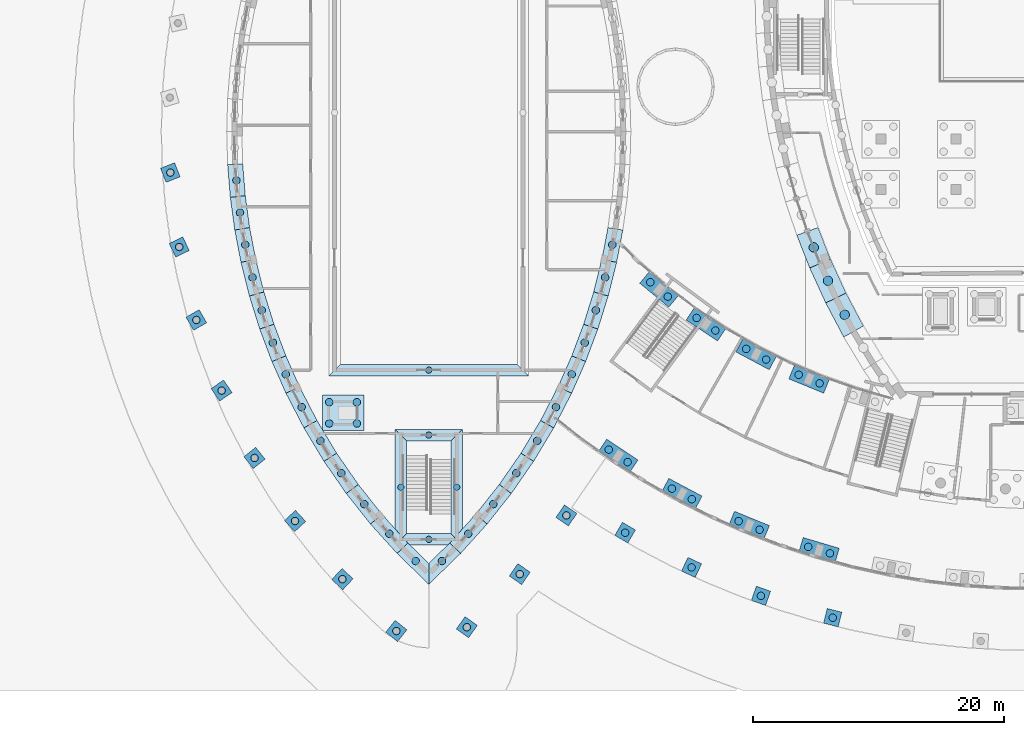
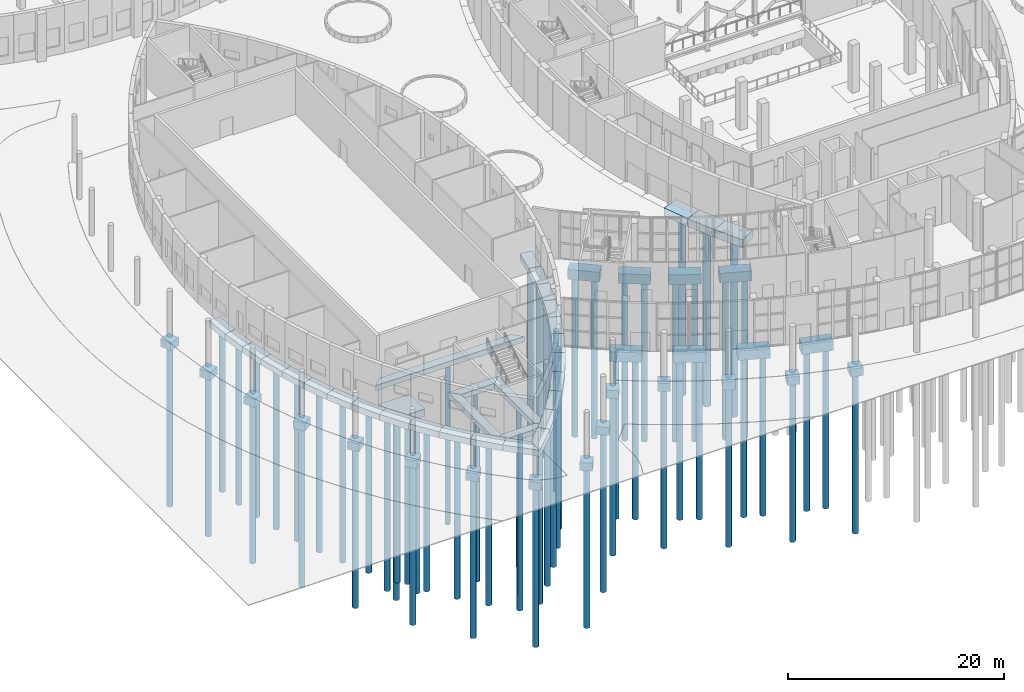
# One storey, part 1 of 82: 67 piles, 56 footings.
"""IFC4 building model written with IfcOpenShell, lengths in metres."""

from ifc_helpers import new_model, si_unit, direction, frame, origin, origin_2d, place, context, subcontext, project, spatial, polyline, rectangle, circle, outline, extrude, material, material_profile, profile_set, type_object, element, save


model = new_model("IFC4")

# Units and contexts
model_context = context("Model", 3, precision=1e-05, world=origin(), true_north=direction((0.0, 1.0)))
body_context = subcontext(model_context, "Body", "Model", "MODEL_VIEW")
ifc_project = project(units=[si_unit("LENGTHUNIT", "METRE"), si_unit("AREAUNIT", "SQUARE_METRE"), si_unit("VOLUMEUNIT", "CUBIC_METRE"), si_unit("PLANEANGLEUNIT", "RADIAN"), si_unit("MASSUNIT", "GRAM", prefix="KILO")], contexts=[model_context])

# Site, building, storey
site_placement = place(None, origin())
site = spatial("IfcSite", under=ifc_project, at=site_placement, CompositionType="ELEMENT")
building_placement = place(site_placement, origin())
building = spatial("IfcBuilding", under=site, at=building_placement, Name="Tide Square Theatres", CompositionType="ELEMENT")
storey_placement = place(building_placement, origin())
storey = spatial("IfcBuildingStorey", under=building, at=storey_placement, Name="L00", CompositionType="ELEMENT", Elevation=0.0)

# Piles
ifc_material_1 = material(Name="Concrete C30", Category="concrete")
ifc_material_profile_1 = material_profile(ifc_material_1, circle(Radius=0.25, at=origin_2d()))
ifc_profile_set_1 = profile_set([ifc_material_profile_1], Name="Concrete C30")
pile_type_1 = type_object("IfcPileType", Name="Bored pile D500", PredefinedType="BORED", material=ifc_profile_set_1)
for number, where, z_axis, x_axis, name in (
    (1, (36.0, 25.5, -0.699951171875), (0.0, 0.0, -1.0), (1.0, 0.0, 0.0), "Bored pile 059"),
    (2, (33.77490234375, 16.175048828125, -0.699951171875), (0.0, 0.0, -1.0), (1.0, 0.0, 0.0), "Bored pile 065"),
    (3, (36.0, 12.02490234375, -0.699951171875), (0.0, 0.0, -1.0), (1.0, 0.0, 0.0), "Bored pile 066"),
    (4, (38.22509765625, 16.175048828125, -0.699951171875), (0.0, 0.0, -1.0), (1.0, 0.0, 0.0), "Bored pile 067"),
    (5, (36.0, 20.324951171875, -0.699951171875), (0.0, 0.0, -1.0), (1.0, 0.0, 0.0), "Bored pile 068"),
):
    element("IfcPile", number, at=place(storey_placement, frame(where, z_axis=z_axis, x_axis=x_axis)), inside=storey, type_object=pile_type_1, Name=name, PredefinedType="BORED", context=body_context, shape_type="SweptSolid", body=[
        extrude(circle(Radius=0.25, at=origin_2d()), origin(), (0.0, 0.0, 1.0), 18.14990234375),
    ])
ifc_material_2 = material(Name="Concrete C30", Category="concrete")
ifc_material_profile_2 = material_profile(ifc_material_2, circle(Radius=0.300048828125, at=origin_2d()))
ifc_profile_set_2 = profile_set([ifc_material_profile_2], Name="Concrete C30")
pile_type_2 = type_object("IfcPileType", Name="Bored pile D600", PredefinedType="BORED", material=ifc_profile_set_2)
for number, where, z_axis, x_axis, name in (
    (6, (15.415283203125, 41.23486328125, -1.0), (0.0, 0.0, -1.0), (1.0, 0.0, 0.0), "Foyer bored pile"),
    (7, (16.1220703125, 35.305908203125, -1.0), (0.0, 0.0, -1.0), (1.0, 0.0, 0.0), "Foyer bored pile"),
    (8, (17.489501953125, 29.494140625, -1.0), (0.0, 0.0, -1.0), (1.0, 0.0, 0.0), "Foyer bored pile"),
    (9, (19.499267578125, 23.8720703125, -1.0), (0.0, 0.0, -1.0), (1.0, 0.0, 0.0), "Foyer bored pile"),
    (10, (22.12158203125, 18.50732421875, -1.0), (0.0, 0.0, -1.0), (1.0, 0.0, 0.0), "Foyer bored pile"),
    (11, (25.348876953125, 13.483154296875, -1.0), (0.0, 0.0, -1.0), (1.0, 0.0, 0.0), "Foyer bored pile"),
    (12, (29.118896484375, 8.8544921875, -1.0), (0.0, 0.0, -1.0), (1.0, 0.0, 0.0), "Foyer bored pile"),
    (13, (33.415771484375, 4.72265625, -1.0), (0.0, 0.0, -1.0), (1.0, 0.0, 0.0), "Foyer bored pile"),
    (14, (39.031494140625, 5.025390625, -1.0), (0.0, 0.0, -1.0), (1.0, 0.0, 0.0), "Foyer bored pile"),
    (15, (43.243408203125, 9.25537109375, -1.0), (0.0, 0.0, -1.0), (1.0, 0.0, 0.0), "Foyer bored pile"),
    (16, (46.958740234375, 13.927490234375, -1.0), (0.0, 0.0, -1.0), (1.0, 0.0, 0.0), "Foyer bored pile"),
    (17, (51.635498046875, 12.5546875, -1.0), (0.0, 0.0, -1.0), (1.0, 0.0, 0.0), "Foyer bored pile"),
    (18, (56.927734375, 9.787109375, -1.0), (0.0, 0.0, -1.0), (1.0, 0.0, 0.0), "Foyer bored pile"),
    (19, (62.454345703125, 7.5234375, -1.0), (0.0, 0.0, -1.0), (1.0, 0.0, 0.0), "Foyer bored pile"),
    (20, (68.167236328125, 5.782958984375, -1.0), (0.0, 0.0, -1.0), (1.0, 0.0, 0.0), "Foyer bored pile"),
    (21, (53.64306640625, 32.50146484375, -1.199951171875), (0.0, 0.0, -1.0), (1.0, 0.0, 0.0), "Foyer bored pile"),
    (22, (55.033203125, 31.358154296875, -1.199951171875), (0.0, 0.0, -1.0), (1.0, 0.0, 0.0), "Foyer bored pile"),
    (23, (50.333984375, 19.1748046875, -1.199951171875), (0.0, 0.0, -1.0), (1.0, 0.0, 0.0), "Foyer bored pile"),
    (24, (51.8310546875, 18.17578125, -1.199951171875), (0.0, 0.0, -1.0), (1.0, 0.0, 0.0), "Foyer bored pile"),
    (25, (57.328125, 29.6552734375, -1.199951171875), (0.0, 0.0, -1.0), (1.0, 0.0, 0.0), "Foyer bored pile"),
    (26, (58.825439453125, 28.656005859375, -1.199951171875), (0.0, 0.0, -1.0), (1.0, 0.0, 0.0), "Foyer bored pile"),
    (27, (55.3623046875, 16.065673828125, -1.199951171875), (0.0, 0.0, -1.0), (1.0, 0.0, 0.0), "Foyer bored pile"),
    (28, (56.95166015625, 15.220458984375, -1.199951171875), (0.0, 0.0, -1.0), (1.0, 0.0, 0.0), "Foyer bored pile"),
    (29, (61.2783203125, 27.190185546875, -1.199951171875), (0.0, 0.0, -1.0), (1.0, 0.0, 0.0), "Foyer bored pile"),
    (30, (62.86767578125, 26.34521484375, -1.199951171875), (0.0, 0.0, -1.0), (1.0, 0.0, 0.0), "Foyer bored pile"),
    (31, (60.67529296875, 13.472412109375, -1.199951171875), (0.0, 0.0, -1.0), (1.0, 0.0, 0.0), "Foyer bored pile"),
    (32, (62.3408203125, 12.78955078125, -1.199951171875), (0.0, 0.0, -1.0), (1.0, 0.0, 0.0), "Foyer bored pile"),
    (33, (65.45458984375, 25.130859375, -1.199951171875), (0.0, 0.0, -1.0), (1.0, 0.0, 0.0), "Foyer bored pile"),
    (34, (67.1201171875, 24.447998046875, -1.199951171875), (0.0, 0.0, -1.0), (1.0, 0.0, 0.0), "Foyer bored pile"),
    (35, (66.22021484375, 11.4208984375, -1.199951171875), (0.0, 0.0, -1.0), (1.0, 0.0, 0.0), "Foyer bored pile"),
    (36, (67.9453125, 10.907470703125, -1.199951171875), (0.0, 0.0, -1.0), (1.0, 0.0, 0.0), "Foyer bored pile"),
    (37, (37.049560546875, 10.298583984375, -0.800048828125), (0.0, 0.0, -1.0), (1.0, 0.0, 0.0), "Bored pile 001"),
    (38, (39.143310546875, 12.4736328125, -0.800048828125), (0.0, 0.0, -1.0), (1.0, 0.0, 0.0), "Bored pile 002"),
    (39, (41.140380859375, 14.832763671875, -0.800048828125), (0.0, 0.0, -1.0), (1.0, 0.0, 0.0), "Bored pile 003"),
    (40, (42.968017578125, 17.29833984375, -0.800048828125), (0.0, 0.0, -1.0), (1.0, 0.0, 0.0), "Bored pile 004"),
    (41, (44.633544921875, 19.876220703125, -0.800048828125), (0.0, 0.0, -1.0), (1.0, 0.0, 0.0), "Bored pile 005"),
    (42, (46.130126953125, 22.555908203125, -0.800048828125), (0.0, 0.0, -1.0), (1.0, 0.0, 0.0), "Bored pile 006"),
    (43, (47.386962890625, 25.166015625, -0.800048828125), (0.0, 0.0, -1.0), (1.0, 0.0, 0.0), "Bored pile 007"),
    (44, (48.41796875, 27.68798828125, -0.800048828125), (0.0, 0.0, -1.0), (1.0, 0.0, 0.0), "Bored pile 008"),
    (45, (49.303466796875, 30.2646484375, -0.800048828125), (0.0, 0.0, -1.0), (1.0, 0.0, 0.0), "Bored pile 009"),
    (46, (50.040771484375, 32.8876953125, -0.800048828125), (0.0, 0.0, -1.0), (1.0, 0.0, 0.0), "Bored pile 010"),
    (47, (50.61669921875, 35.48291015625, -0.800048828125), (0.0, 0.0, -1.0), (1.0, 0.0, 0.0), "Bored pile 011"),
    (48, (20.682861328125, 40.616455078125, -0.800048828125), (0.0, 0.0, -1.0), (1.0, 0.0, 0.0), "Bored pile 044"),
    (49, (20.96337890625, 38.0400390625, -0.800048828125), (0.0, 0.0, -1.0), (1.0, 0.0, 0.0), "Bored pile 045"),
    (50, (21.38330078125, 35.48291015625, -0.800048828125), (0.0, 0.0, -1.0), (1.0, 0.0, 0.0), "Bored pile 046"),
    (51, (21.959228515625, 32.8876953125, -0.800048828125), (0.0, 0.0, -1.0), (1.0, 0.0, 0.0), "Bored pile 047"),
    (52, (22.696533203125, 30.2646484375, -0.800048828125), (0.0, 0.0, -1.0), (1.0, 0.0, 0.0), "Bored pile 048"),
    (53, (23.58203125, 27.68798828125, -0.800048828125), (0.0, 0.0, -1.0), (1.0, 0.0, 0.0), "Bored pile 049"),
    (54, (24.613037109375, 25.166015625, -0.800048828125), (0.0, 0.0, -1.0), (1.0, 0.0, 0.0), "Bored pile 050"),
    (55, (25.869873046875, 22.555908203125, -0.800048828125), (0.0, 0.0, -1.0), (1.0, 0.0, 0.0), "Bored pile 051"),
    (56, (27.366455078125, 19.876220703125, -0.800048828125), (0.0, 0.0, -1.0), (1.0, 0.0, 0.0), "Bored pile 052"),
    (57, (29.031982421875, 17.29833984375, -0.800048828125), (0.0, 0.0, -1.0), (1.0, 0.0, 0.0), "Bored pile 053"),
    (58, (30.859619140625, 14.832763671875, -0.800048828125), (0.0, 0.0, -1.0), (1.0, 0.0, 0.0), "Bored pile 054"),
    (59, (32.856689453125, 12.4736328125, -0.800048828125), (0.0, 0.0, -1.0), (1.0, 0.0, 0.0), "Bored pile 055"),
    (60, (34.950439453125, 10.298583984375, -0.800048828125), (0.0, 0.0, -1.0), (1.0, 0.0, 0.0), "Bored pile 056"),
):
    element("IfcPile", number, at=place(storey_placement, frame(where, z_axis=z_axis, x_axis=x_axis)), inside=storey, type_object=pile_type_2, Name=name, PredefinedType="BORED", context=body_context, shape_type="SweptSolid", body=[
        extrude(circle(Radius=0.300048828125, at=origin_2d()), origin(), (0.0, 0.0, 1.0), 18.14990234375),
    ])
for number, where, z_axis, x_axis, name in (
    (61, (30.27001953125, 21.25, -1.85009765625), (0.0, 0.0, -1.0), (1.0, 0.0, 0.0), "Studio Theatre lift pit pile"),
    (62, (28.070068359375, 21.25, -1.85009765625), (0.0, 0.0, -1.0), (1.0, 0.0, 0.0), "Studio Theatre lift pit pile"),
    (63, (30.27001953125, 22.949951171875, -1.85009765625), (0.0, 0.0, -1.0), (1.0, 0.0, 0.0), "Studio Theatre lift pit pile"),
    (64, (28.070068359375, 22.949951171875, -1.85009765625), (0.0, 0.0, -1.0), (1.0, 0.0, 0.0), "Studio Theatre lift pit pile"),
):
    element("IfcPile", number, at=place(storey_placement, frame(where, z_axis=z_axis, x_axis=x_axis)), inside=storey, type_object=pile_type_2, Name=name, PredefinedType="BORED", context=body_context, shape_type="SweptSolid", body=[
        extrude(circle(Radius=0.300048828125, at=origin_2d()), origin(), (0.0, 0.0, 1.0), 20.14990234375),
    ])
ifc_material_3 = material(Name="Concrete C30", Category="concrete")
ifc_material_profile_3 = material_profile(ifc_material_3, circle(Radius=0.375, at=origin_2d()))
ifc_profile_set_3 = profile_set([ifc_material_profile_3], Name="Concrete C30")
pile_type_3 = type_object("IfcPileType", Name="Bored pile D750", PredefinedType="BORED", material=ifc_profile_set_3)
for number, where, z_axis, x_axis, name in (
    (65, (66.657958984375, 35.273193359375, -0.75), (0.0, 0.0, -1.0), (1.0, 0.0, 0.0), "Bored pile"),
    (66, (67.791748046875, 32.619873046875, -0.75), (0.0, 0.0, -1.0), (1.0, 0.0, 0.0), "Bored pile"),
    (67, (69.125732421875, 29.910400390625, -0.75), (0.0, 0.0, -1.0), (1.0, 0.0, 0.0), "Bored pile"),
):
    element("IfcPile", number, at=place(storey_placement, frame(where, z_axis=z_axis, x_axis=x_axis)), inside=storey, type_object=pile_type_3, Name=name, PredefinedType="BORED", context=body_context, shape_type="SweptSolid", body=[
        extrude(circle(Radius=0.375, at=origin_2d()), origin(), (0.0, 0.0, 1.0), 20.14990234375),
    ])

# Footings
ifc_material_4 = material(Name="Concrete C35", Category="concrete")
footing_type_1 = type_object("IfcFootingType", Name="Pile cap 1 piles D600", PredefinedType="PILE_CAP", material=ifc_material_4)
for number, where, z_axis, x_axis, name in (
    (68, (15.415283203125, 41.23486328125, -1.14990234375), (0.0, 0.0, 1.0), (0.363547163789, -0.931575793857, 0.0), "Foyer pile cap"),
    (69, (16.1220703125, 35.305908203125, -1.14990234375), (0.0, 0.0, 1.0), (0.433945289752, -0.900939224089, 0.0), "Foyer pile cap"),
    (70, (17.489501953125, 29.494140625, -1.14990234375), (0.0, 0.0, 1.0), (0.501033509099, -0.865427884205, 0.0), "Foyer pile cap"),
    (71, (19.499267578125, 23.8720703125, -1.14990234375), (0.0, 0.0, 1.0), (0.564647259995, -0.8253323402, 0.0), "Foyer pile cap"),
    (72, (22.12158203125, 18.50732421875, -1.14990234375), (0.0, 0.0, 1.0), (0.624617248191, -0.780931042579, 0.0), "Foyer pile cap"),
    (73, (25.348876953125, 13.483154296875, -1.14990234375), (0.0, 0.0, 1.0), (0.68081930951, -0.732451409855, 0.0), "Foyer pile cap"),
    (74, (29.118896484375, 8.8544921875, -1.14990234375), (0.0, 0.0, 1.0), (0.733039322094, -0.680186262919, 0.0), "Foyer pile cap"),
    (75, (33.415771484375, 4.72265625, -1.14990234375), (0.0, 0.0, 1.0), (0.781095630033, -0.624411416251, 0.0), "Foyer pile cap"),
    (76, (39.031494140625, 5.025390625, -1.14990234375), (0.0, 0.0, 1.0), (0.81381439419, -0.581124884864, 0.0), "Foyer pile cap"),
    (77, (43.243408203125, 9.25537109375, -1.14990234375), (0.0, 0.0, 1.0), (0.821621071464, -0.570034047165, 0.0), "Foyer pile cap"),
    (78, (46.958740234375, 13.927490234375, -1.14990234375), (0.0, 0.0, 1.0), (0.824992194694, -0.565144122056, 0.0), "Foyer pile cap"),
    (79, (51.635498046875, 12.5546875, -1.14990234375), (0.0, 0.0, 1.0), (0.863634087629, -0.504119194918, 0.0), "Foyer pile cap"),
    (80, (56.927734375, 9.787109375, -1.14990234375), (0.0, 0.0, 1.0), (0.906741759196, -0.421686355162, 0.0), "Foyer pile cap"),
    (81, (62.454345703125, 7.5234375, -1.14990234375), (0.0, 0.0, 1.0), (0.942003577087, -0.335602831865, 0.0), "Foyer pile cap"),
    (82, (68.167236328125, 5.782958984375, -1.14990234375), (0.0, 0.0, 1.0), (0.969113083402, -0.246616770678, 0.0), "Foyer pile cap"),
):
    element("IfcFooting", number, at=place(storey_placement, frame(where, z_axis=z_axis, x_axis=x_axis)), inside=storey, type_object=footing_type_1, Name=name, PredefinedType="PILE_CAP", context=body_context, shape_type="SweptSolid", body=[
        extrude(rectangle(XDim=1.199951171875, YDim=1.199951171875, at=origin_2d()), origin(), (0.0, 0.0, 1.0), 0.89990234375),
    ])
ifc_material_5 = material(Name="Concrete C35", Category="concrete")
footing_type_2 = type_object("IfcFootingType", Name="Pile cap 2 piles D600", PredefinedType="PILE_CAP", material=ifc_material_5)
for number, where, z_axis, x_axis, name in (
    (83, (54.338134765625, 31.9296875, -1.35009765625), (0.0, 0.0, 1.0), (0.772383386851, -0.63515659779, 0.0), "Foyer pile cap"),
    (84, (51.08251953125, 18.67529296875, -1.35009765625), (0.0, 0.0, 1.0), (0.831783646909, -0.555099959227, 0.0), "Foyer pile cap"),
    (85, (58.076904296875, 29.15576171875, -1.35009765625), (0.0, 0.0, 1.0), (0.831783646909, -0.555099959227, 0.0), "Foyer pile cap"),
    (86, (56.156982421875, 15.64306640625, -1.35009765625), (0.0, 0.0, 1.0), (0.882918093348, -0.469527039093, 0.0), "Foyer pile cap"),
    (87, (62.072998046875, 26.767578125, -1.35009765625), (0.0, 0.0, 1.0), (0.882918093348, -0.469527039093, 0.0), "Foyer pile cap"),
    (88, (61.50830078125, 13.131103515625, -1.35009765625), (0.0, 0.0, 1.0), (0.925278579841, -0.379288214538, 0.0), "Foyer pile cap"),
    (89, (66.287109375, 24.78955078125, -1.35009765625), (0.0, 0.0, 1.0), (0.925278579841, -0.379288214538, 0.0), "Foyer pile cap"),
    (90, (67.082763671875, 11.164306640625, -1.35009765625), (0.0, 0.0, 1.0), (0.958443652997, -0.285281902737, 0.0), "Foyer pile cap"),
):
    element("IfcFooting", number, at=place(storey_placement, frame(where, z_axis=z_axis, x_axis=x_axis)), inside=storey, type_object=footing_type_2, Name=name, PredefinedType="PILE_CAP", context=body_context, shape_type="SweptSolid", body=[
        extrude(rectangle(XDim=3.0, YDim=1.199951171875, at=origin_2d()), origin(), (0.0, 0.0, 1.0), 1.10009765625),
    ])
ifc_material_6 = material(Name="Concrete C35", Category="concrete")
footing_type_3 = type_object("IfcFootingType", Name="Pile cap 4 piles D600", PredefinedType="PILE_CAP", material=ifc_material_6)
footing_1_placement = place(storey_placement, frame((0.0, 0.0, -2.0)))
element("IfcFooting", 91, at=footing_1_placement, inside=storey, type_object=footing_type_3, Name="Studio Theatre lift pit raft", PredefinedType="PILE_CAP", context=body_context, shape_type="SweptSolid", body=[
    extrude(outline(polyline([(30.820068359375, 20.699951171875), (30.820068359375, 23.5), (27.52001953125, 23.5), (27.52001953125, 20.699951171875), (30.820068359375, 20.699951171875)])), origin(), (0.0, 0.0, 1.0), 0.800048828125),
])
ifc_material_7 = material(Name="Concrete C35", Category="concrete")
footing_type_4 = type_object("IfcFootingType", Name="Strip footing 1200 x 700", PredefinedType="STRIP_FOOTING", material=ifc_material_7)
footing_2_placement = place(storey_placement, frame((0.0, 0.0, -0.949951171875)))
element("IfcFooting", 92, at=footing_2_placement, inside=storey, type_object=footing_type_4, Name="Studio Theatre wall strip footing 001", PredefinedType="STRIP_FOOTING", context=body_context, shape_type="SweptSolid", body=[
    extrude(outline(polyline([(36.0, 8.4423828125), (38.53125, 10.9013671875), (37.6669921875, 11.73486328125), (36.0, 10.115478515625), (36.0, 8.4423828125)])), origin(), (0.0, 0.0, 1.0), 0.699951171875),
])
footing_3_placement = place(storey_placement, frame((0.0, 0.0, -0.949951171875)))
element("IfcFooting", 93, at=footing_3_placement, inside=storey, type_object=footing_type_4, Name="Studio Theatre wall strip footing 002", PredefinedType="STRIP_FOOTING", context=body_context, shape_type="SweptSolid", body=[
    extrude(outline(polyline([(38.53125, 10.9013671875), (40.645263671875, 13.241455078125), (39.72900390625, 14.01708984375), (37.6669921875, 11.73486328125), (38.53125, 10.9013671875)])), origin(), (0.0, 0.0, 1.0), 0.699951171875),
])
footing_4_placement = place(storey_placement, frame((0.0, 0.0, -0.949951171875)))
element("IfcFooting", 94, at=footing_4_placement, inside=storey, type_object=footing_type_4, Name="Studio Theatre wall strip footing 003", PredefinedType="STRIP_FOOTING", context=body_context, shape_type="SweptSolid", body=[
    extrude(outline(polyline([(40.645263671875, 13.241455078125), (42.576171875, 15.6787109375), (41.611572265625, 16.3935546875), (39.72900390625, 14.01708984375), (40.645263671875, 13.241455078125)])), origin(), (0.0, 0.0, 1.0), 0.699951171875),
])
footing_5_placement = place(storey_placement, frame((0.0, 0.0, -0.949951171875)))
element("IfcFooting", 95, at=footing_5_placement, inside=storey, type_object=footing_type_4, Name="Studio Theatre wall strip footing 004", PredefinedType="STRIP_FOOTING", context=body_context, shape_type="SweptSolid", body=[
    extrude(outline(polyline([(42.576171875, 15.6787109375), (44.346435546875, 18.234619140625), (43.337890625, 18.88623046875), (41.611572265625, 16.3935546875), (42.576171875, 15.6787109375)])), origin(), (0.0, 0.0, 1.0), 0.699951171875),
])
footing_6_placement = place(storey_placement, frame((0.0, 0.0, -0.949951171875)))
element("IfcFooting", 96, at=footing_6_placement, inside=storey, type_object=footing_type_4, Name="Studio Theatre wall strip footing 005", PredefinedType="STRIP_FOOTING", context=body_context, shape_type="SweptSolid", body=[
    extrude(outline(polyline([(44.346435546875, 18.234619140625), (45.948974609375, 20.899169921875), (44.90087890625, 21.484619140625), (43.337890625, 18.88623046875), (44.346435546875, 18.234619140625)])), origin(), (0.0, 0.0, 1.0), 0.699951171875),
])
footing_7_placement = place(storey_placement, frame((0.0, 0.0, -0.949951171875)))
element("IfcFooting", 97, at=footing_7_placement, inside=storey, type_object=footing_type_4, Name="Studio Theatre wall strip footing 006", PredefinedType="STRIP_FOOTING", context=body_context, shape_type="SweptSolid", body=[
    extrude(outline(polyline([(45.948974609375, 20.899169921875), (47.376708984375, 23.660400390625), (46.294189453125, 24.17919921875), (44.90087890625, 21.484619140625), (45.948974609375, 20.899169921875)])), origin(), (0.0, 0.0, 1.0), 0.699951171875),
])
footing_8_placement = place(storey_placement, frame((0.0, 0.0, -0.949951171875)))
element("IfcFooting", 98, at=footing_8_placement, inside=storey, type_object=footing_type_4, Name="Studio Theatre wall strip footing 007", PredefinedType="STRIP_FOOTING", context=body_context, shape_type="SweptSolid", body=[
    extrude(outline(polyline([(47.376708984375, 23.660400390625), (48.493896484375, 26.18505859375), (47.3828125, 26.639404296875), (46.294189453125, 24.17919921875), (47.376708984375, 23.660400390625)])), origin(), (0.0, 0.0, 1.0), 0.699951171875),
])
footing_9_placement = place(storey_placement, frame((0.0, 0.0, -0.949951171875)))
element("IfcFooting", 99, at=footing_9_placement, inside=storey, type_object=footing_type_4, Name="Studio Theatre wall strip footing 008", PredefinedType="STRIP_FOOTING", context=body_context, shape_type="SweptSolid", body=[
    extrude(outline(polyline([(48.493896484375, 26.18505859375), (49.465087890625, 28.7685546875), (48.329833984375, 29.15869140625), (47.3828125, 26.639404296875), (48.493896484375, 26.18505859375)])), origin(), (0.0, 0.0, 1.0), 0.699951171875),
])
footing_10_placement = place(storey_placement, frame((0.0, 0.0, -0.949951171875)))
element("IfcFooting", 100, at=footing_10_placement, inside=storey, type_object=footing_type_4, Name="Studio Theatre wall strip footing 009", PredefinedType="STRIP_FOOTING", context=body_context, shape_type="SweptSolid", body=[
    extrude(outline(polyline([(49.465087890625, 28.7685546875), (50.287353515625, 31.4033203125), (49.131591796875, 31.72802734375), (48.329833984375, 29.15869140625), (49.465087890625, 28.7685546875)])), origin(), (0.0, 0.0, 1.0), 0.699951171875),
])
footing_11_placement = place(storey_placement, frame((0.0, 0.0, -0.949951171875)))
element("IfcFooting", 101, at=footing_11_placement, inside=storey, type_object=footing_type_4, Name="Studio Theatre wall strip footing 010", PredefinedType="STRIP_FOOTING", context=body_context, shape_type="SweptSolid", body=[
    extrude(outline(polyline([(50.287353515625, 31.4033203125), (50.9580078125, 34.080078125), (49.785888671875, 34.339599609375), (49.131591796875, 31.72802734375), (50.287353515625, 31.4033203125)])), origin(), (0.0, 0.0, 1.0), 0.699951171875),
])
footing_12_placement = place(storey_placement, frame((0.0, 0.0, -0.949951171875)))
element("IfcFooting", 102, at=footing_12_placement, inside=storey, type_object=footing_type_4, Name="Studio Theatre wall strip footing 011", PredefinedType="STRIP_FOOTING", context=body_context, shape_type="SweptSolid", body=[
    extrude(outline(polyline([(50.9580078125, 34.080078125), (51.45361328125, 36.658447265625), (50.26904296875, 36.852783203125), (49.785888671875, 34.339599609375), (50.9580078125, 34.080078125)])), origin(), (0.0, 0.0, 1.0), 0.699951171875),
])
footing_13_placement = place(storey_placement, frame((0.0, 0.0, -0.949951171875)))
element("IfcFooting", 103, at=footing_13_placement, inside=storey, type_object=footing_type_4, Name="Studio Theatre wall strip footing 044", PredefinedType="STRIP_FOOTING", context=body_context, shape_type="SweptSolid", body=[
    extrude(outline(polyline([(19.978271484375, 41.8759765625), (20.19140625, 39.259521484375), (21.385009765625, 39.389404296875), (21.1767578125, 41.94091796875), (19.978271484375, 41.8759765625)])), origin(), (0.0, 0.0, 1.0), 0.699951171875),
])
footing_14_placement = place(storey_placement, frame((0.0, 0.0, -0.949951171875)))
element("IfcFooting", 104, at=footing_14_placement, inside=storey, type_object=footing_type_4, Name="Studio Theatre wall strip footing 045", PredefinedType="STRIP_FOOTING", context=body_context, shape_type="SweptSolid", body=[
    extrude(outline(polyline([(20.19140625, 39.259521484375), (20.54638671875, 36.658447265625), (21.73095703125, 36.852783203125), (21.385009765625, 39.389404296875), (20.19140625, 39.259521484375)])), origin(), (0.0, 0.0, 1.0), 0.699951171875),
])
footing_15_placement = place(storey_placement, frame((0.0, 0.0, -0.949951171875)))
element("IfcFooting", 105, at=footing_15_placement, inside=storey, type_object=footing_type_4, Name="Studio Theatre wall strip footing 046", PredefinedType="STRIP_FOOTING", context=body_context, shape_type="SweptSolid", body=[
    extrude(outline(polyline([(20.54638671875, 36.658447265625), (21.0419921875, 34.080078125), (22.214111328125, 34.339599609375), (21.73095703125, 36.852783203125), (20.54638671875, 36.658447265625)])), origin(), (0.0, 0.0, 1.0), 0.699951171875),
])
footing_16_placement = place(storey_placement, frame((0.0, 0.0, -0.949951171875)))
element("IfcFooting", 106, at=footing_16_placement, inside=storey, type_object=footing_type_4, Name="Studio Theatre wall strip footing 047", PredefinedType="STRIP_FOOTING", context=body_context, shape_type="SweptSolid", body=[
    extrude(outline(polyline([(21.0419921875, 34.080078125), (21.712646484375, 31.4033203125), (22.868408203125, 31.72802734375), (22.214111328125, 34.339599609375), (21.0419921875, 34.080078125)])), origin(), (0.0, 0.0, 1.0), 0.699951171875),
])
footing_17_placement = place(storey_placement, frame((0.0, 0.0, -0.949951171875)))
element("IfcFooting", 107, at=footing_17_placement, inside=storey, type_object=footing_type_4, Name="Studio Theatre wall strip footing 048", PredefinedType="STRIP_FOOTING", context=body_context, shape_type="SweptSolid", body=[
    extrude(outline(polyline([(21.712646484375, 31.4033203125), (22.534912109375, 28.7685546875), (23.670166015625, 29.15869140625), (22.868408203125, 31.72802734375), (21.712646484375, 31.4033203125)])), origin(), (0.0, 0.0, 1.0), 0.699951171875),
])
footing_18_placement = place(storey_placement, frame((0.0, 0.0, -0.949951171875)))
element("IfcFooting", 108, at=footing_18_placement, inside=storey, type_object=footing_type_4, Name="Studio Theatre wall strip footing 049", PredefinedType="STRIP_FOOTING", context=body_context, shape_type="SweptSolid", body=[
    extrude(outline(polyline([(22.534912109375, 28.7685546875), (23.506103515625, 26.18505859375), (24.6171875, 26.639404296875), (23.670166015625, 29.15869140625), (22.534912109375, 28.7685546875)])), origin(), (0.0, 0.0, 1.0), 0.699951171875),
])
footing_19_placement = place(storey_placement, frame((0.0, 0.0, -0.949951171875)))
element("IfcFooting", 109, at=footing_19_placement, inside=storey, type_object=footing_type_4, Name="Studio Theatre wall strip footing 050", PredefinedType="STRIP_FOOTING", context=body_context, shape_type="SweptSolid", body=[
    extrude(outline(polyline([(23.506103515625, 26.18505859375), (24.623291015625, 23.660400390625), (25.705810546875, 24.17919921875), (24.6171875, 26.639404296875), (23.506103515625, 26.18505859375)])), origin(), (0.0, 0.0, 1.0), 0.699951171875),
])
footing_20_placement = place(storey_placement, frame((0.0, 0.0, -0.949951171875)))
element("IfcFooting", 110, at=footing_20_placement, inside=storey, type_object=footing_type_4, Name="Studio Theatre wall strip footing 051", PredefinedType="STRIP_FOOTING", context=body_context, shape_type="SweptSolid", body=[
    extrude(outline(polyline([(24.623291015625, 23.660400390625), (26.051025390625, 20.899169921875), (27.09912109375, 21.484619140625), (25.705810546875, 24.17919921875), (24.623291015625, 23.660400390625)])), origin(), (0.0, 0.0, 1.0), 0.699951171875),
])
footing_21_placement = place(storey_placement, frame((0.0, 0.0, -0.949951171875)))
element("IfcFooting", 111, at=footing_21_placement, inside=storey, type_object=footing_type_4, Name="Studio Theatre wall strip footing 052", PredefinedType="STRIP_FOOTING", context=body_context, shape_type="SweptSolid", body=[
    extrude(outline(polyline([(26.051025390625, 20.899169921875), (27.653564453125, 18.234619140625), (28.662109375, 18.88623046875), (27.09912109375, 21.484619140625), (26.051025390625, 20.899169921875)])), origin(), (0.0, 0.0, 1.0), 0.699951171875),
])
footing_22_placement = place(storey_placement, frame((0.0, 0.0, -0.949951171875)))
element("IfcFooting", 112, at=footing_22_placement, inside=storey, type_object=footing_type_4, Name="Studio Theatre wall strip footing 053", PredefinedType="STRIP_FOOTING", context=body_context, shape_type="SweptSolid", body=[
    extrude(outline(polyline([(27.653564453125, 18.234619140625), (29.423828125, 15.6787109375), (30.388427734375, 16.3935546875), (28.662109375, 18.88623046875), (27.653564453125, 18.234619140625)])), origin(), (0.0, 0.0, 1.0), 0.699951171875),
])
footing_23_placement = place(storey_placement, frame((0.0, 0.0, -0.949951171875)))
element("IfcFooting", 113, at=footing_23_placement, inside=storey, type_object=footing_type_4, Name="Studio Theatre wall strip footing 054", PredefinedType="STRIP_FOOTING", context=body_context, shape_type="SweptSolid", body=[
    extrude(outline(polyline([(29.423828125, 15.6787109375), (31.354736328125, 13.241455078125), (32.27099609375, 14.01708984375), (30.388427734375, 16.3935546875), (29.423828125, 15.6787109375)])), origin(), (0.0, 0.0, 1.0), 0.699951171875),
])
footing_24_placement = place(storey_placement, frame((0.0, 0.0, -0.949951171875)))
element("IfcFooting", 114, at=footing_24_placement, inside=storey, type_object=footing_type_4, Name="Studio Theatre wall strip footing 055", PredefinedType="STRIP_FOOTING", context=body_context, shape_type="SweptSolid", body=[
    extrude(outline(polyline([(31.354736328125, 13.241455078125), (33.46875, 10.9013671875), (34.3330078125, 11.73486328125), (32.27099609375, 14.01708984375), (31.354736328125, 13.241455078125)])), origin(), (0.0, 0.0, 1.0), 0.699951171875),
])
footing_25_placement = place(storey_placement, frame((0.0, 0.0, -0.949951171875)))
element("IfcFooting", 115, at=footing_25_placement, inside=storey, type_object=footing_type_4, Name="Studio Theatre wall strip footing 056", PredefinedType="STRIP_FOOTING", context=body_context, shape_type="SweptSolid", body=[
    extrude(outline(polyline([(33.46875, 10.9013671875), (36.0, 8.4423828125), (36.0, 10.115478515625), (34.3330078125, 11.73486328125), (33.46875, 10.9013671875)])), origin(), (0.0, 0.0, 1.0), 0.699951171875),
])
ifc_material_8 = material(Name="Concrete C35", Category="concrete")
footing_type_5 = type_object("IfcFootingType", Name="Strip footing 1800 x 900", PredefinedType="STRIP_FOOTING", material=ifc_material_8)
footing_26_placement = place(storey_placement, frame((0.0, 0.0, -0.89990234375)))
element("IfcFooting", 116, at=footing_26_placement, inside=storey, type_object=footing_type_5, Name="Strip footing", PredefinedType="STRIP_FOOTING", context=body_context, shape_type="SweptSolid", body=[
    extrude(outline(polyline([(65.307373046875, 36.244384765625), (66.33447265625, 33.640380859375), (67.9912109375, 34.345947265625), (66.998779296875, 36.862060546875), (65.307373046875, 36.244384765625)])), origin(), (0.0, 0.0, 1.0), 0.89990234375),
])
footing_27_placement = place(storey_placement, frame((0.0, 0.0, -0.89990234375)))
element("IfcFooting", 117, at=footing_27_placement, inside=storey, type_object=footing_type_5, Name="Strip footing", PredefinedType="STRIP_FOOTING", context=body_context, shape_type="SweptSolid", body=[
    extrude(outline(polyline([(66.33447265625, 33.640380859375), (67.613037109375, 30.8486328125), (69.228515625, 31.64404296875), (67.9912109375, 34.345947265625), (66.33447265625, 33.640380859375)])), origin(), (0.0, 0.0, 1.0), 0.89990234375),
])
footing_28_placement = place(storey_placement, frame((0.0, 0.0, -0.89990234375)))
element("IfcFooting", 118, at=footing_28_placement, inside=storey, type_object=footing_type_5, Name="Strip footing", PredefinedType="STRIP_FOOTING", context=body_context, shape_type="SweptSolid", body=[
    extrude(outline(polyline([(67.613037109375, 30.8486328125), (69.046630859375, 28.132080078125), (70.614990234375, 29.01708984375), (69.228515625, 31.64404296875), (67.613037109375, 30.8486328125)])), origin(), (0.0, 0.0, 1.0), 0.89990234375),
])
ifc_material_9 = material(Name="Concrete C35", Category="concrete")
footing_type_6 = type_object("IfcFootingType", Name="Strip footing 900 x 600", PredefinedType="STRIP_FOOTING", material=ifc_material_9)
footing_29_placement = place(storey_placement, frame((0.0, 0.0, -0.85009765625)))
element("IfcFooting", 119, at=footing_29_placement, inside=storey, type_object=footing_type_6, Name="Studio Theatre auditorium strip footing 059", PredefinedType="STRIP_FOOTING", context=body_context, shape_type="SweptSolid", body=[
    extrude(outline(polyline([(28.050048828125, 25.050048828125), (43.949951171875, 25.050048828125), (43.050048828125, 25.949951171875), (28.949951171875, 25.949951171875), (28.050048828125, 25.050048828125)])), origin(), (0.0, 0.0, 1.0), 0.60009765625),
])
footing_30_placement = place(storey_placement, frame((0.0, 0.0, -0.85009765625)))
element("IfcFooting", 120, at=footing_30_placement, inside=storey, type_object=footing_type_6, Name="Studio Theatre stair shaft strip footing 065", PredefinedType="STRIP_FOOTING", context=body_context, shape_type="SweptSolid", body=[
    extrude(outline(polyline([(33.324951171875, 20.77490234375), (33.324951171875, 11.574951171875), (34.22509765625, 12.47509765625), (34.22509765625, 19.875), (33.324951171875, 20.77490234375)])), origin(), (0.0, 0.0, 1.0), 0.60009765625),
])
footing_31_placement = place(storey_placement, frame((0.0, 0.0, -0.85009765625)))
element("IfcFooting", 121, at=footing_31_placement, inside=storey, type_object=footing_type_6, Name="Studio Theatre stair shaft strip footing 066", PredefinedType="STRIP_FOOTING", context=body_context, shape_type="SweptSolid", body=[
    extrude(outline(polyline([(33.324951171875, 11.574951171875), (38.675048828125, 11.574951171875), (37.77490234375, 12.47509765625), (34.22509765625, 12.47509765625), (33.324951171875, 11.574951171875)])), origin(), (0.0, 0.0, 1.0), 0.60009765625),
])
footing_32_placement = place(storey_placement, frame((0.0, 0.0, -0.85009765625)))
element("IfcFooting", 122, at=footing_32_placement, inside=storey, type_object=footing_type_6, Name="Studio Theatre stair shaft strip footing 067", PredefinedType="STRIP_FOOTING", context=body_context, shape_type="SweptSolid", body=[
    extrude(outline(polyline([(38.675048828125, 11.574951171875), (38.675048828125, 20.77490234375), (37.77490234375, 19.875), (37.77490234375, 12.47509765625), (38.675048828125, 11.574951171875)])), origin(), (0.0, 0.0, 1.0), 0.60009765625),
])
footing_33_placement = place(storey_placement, frame((0.0, 0.0, -0.85009765625)))
element("IfcFooting", 123, at=footing_33_placement, inside=storey, type_object=footing_type_6, Name="Studio Theatre stair shaft strip footing 068", PredefinedType="STRIP_FOOTING", context=body_context, shape_type="SweptSolid", body=[
    extrude(outline(polyline([(38.675048828125, 20.77490234375), (33.324951171875, 20.77490234375), (34.22509765625, 19.875), (37.77490234375, 19.875), (38.675048828125, 20.77490234375)])), origin(), (0.0, 0.0, 1.0), 0.60009765625),
])

save(model, "model.ifc")
